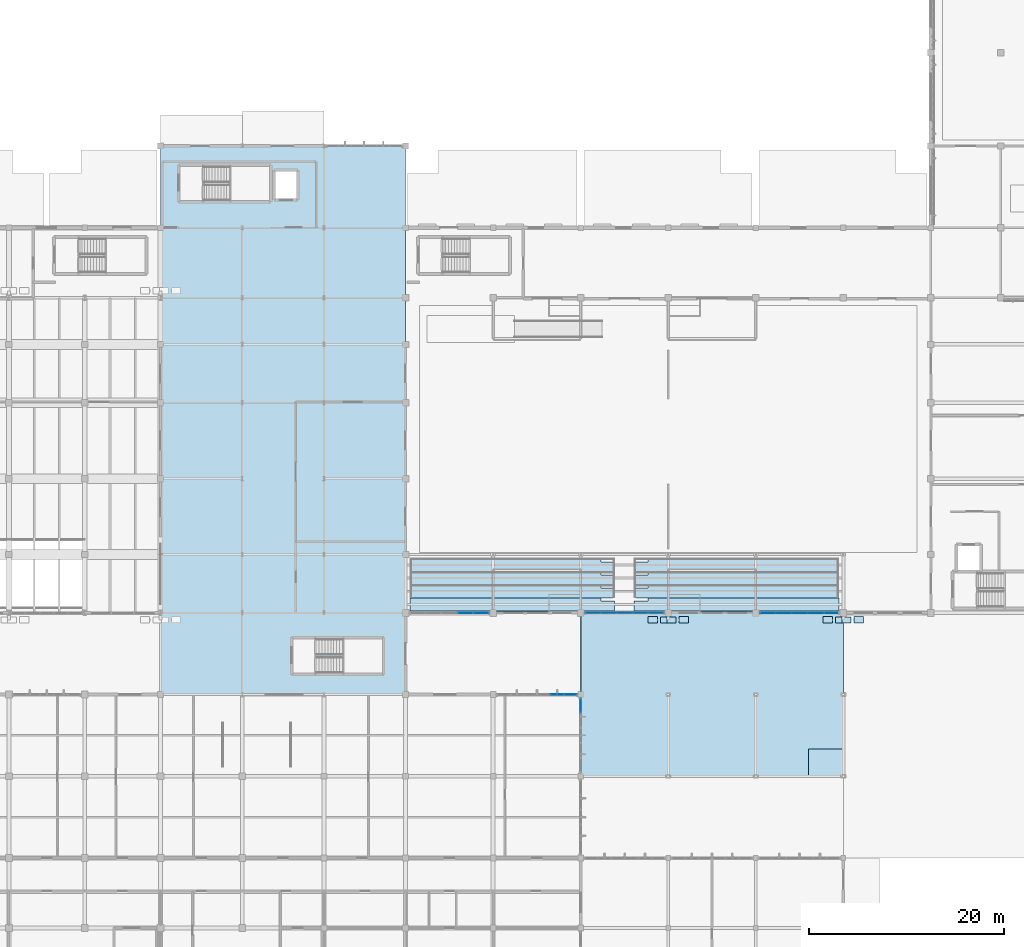
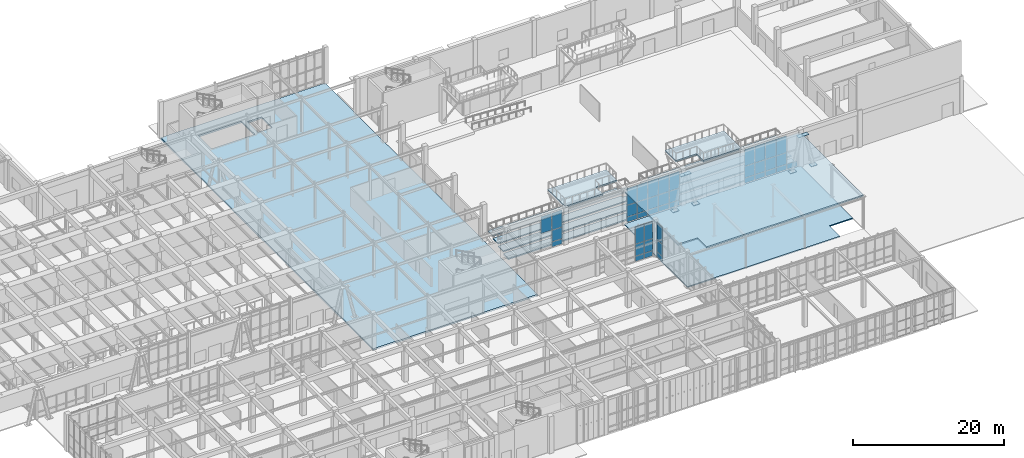
# One storey, part 64 of 110: 49 plates, 13 slabs, 5 elements without a shape of their own.
"""IFC4 building model written with IfcOpenShell, lengths in metres."""

from ifc_helpers import new_model, si_unit, direction, frame, origin, origin_2d, place, context, subcontext, project, spatial, polyline, rectangle, outline, extrude, material, layer, layer_set, type_object, element, aggregate, save


model = new_model("IFC4")

# Units and contexts
model_context = context("Model", 3, precision=1e-05, world=origin(), true_north=direction((0.0, 1.0)))
body_context = subcontext(model_context, "Body", "Model", "MODEL_VIEW")
ifc_project = project(units=[si_unit("LENGTHUNIT", "METRE"), si_unit("AREAUNIT", "SQUARE_METRE"), si_unit("VOLUMEUNIT", "CUBIC_METRE"), si_unit("PLANEANGLEUNIT", "RADIAN"), si_unit("MASSUNIT", "GRAM", prefix="KILO")], contexts=[model_context])

# Site, building, storey
site_placement = place(None, origin())
site = spatial("IfcSite", under=ifc_project, at=site_placement, CompositionType="ELEMENT")
building_placement = place(site_placement, origin())
building = spatial("IfcBuilding", under=site, at=building_placement, Name="Tizgana Railside Sports Hall", CompositionType="ELEMENT")
storey_placement = place(building_placement, origin())
storey = spatial("IfcBuildingStorey", under=building, at=storey_placement, Name="L00", CompositionType="ELEMENT", Elevation=0.0)

# Curtain wall, plates
ifc_material_1 = material(Name="Anodised aluminium and glass", Category="aluminium")
curtain_wall_type_1 = type_object("IfcCurtainWallType", Name="Unitised Curtain Wall Foyer 1300", PredefinedType="NOTDEFINED", material=ifc_material_1)
curtain_wall_1_placement = place(storey_placement, origin())
curtain_wall_1 = element("IfcCurtainWall", 1, at=curtain_wall_1_placement, inside=storey, type_object=curtain_wall_type_1, Name="L00 Curtain Wall CW-0025", PredefinedType="NOTDEFINED")
ifc_material_2 = material(Name="Double low-E laminated glass", Category="glass")
ifc_layer_1 = layer(ifc_material_2, 0.033935546875, Name="Double low-E laminated glass")
ifc_layer_set_1 = layer_set([ifc_layer_1], Name="Double low-E laminated glass")
plate_type_1 = type_object("IfcPlateType", Name="Acoustic Laminated Glazing Panel 34", PredefinedType="CURTAIN_PANEL", material=ifc_layer_set_1)
plate_1_placement = place(storey_placement, frame((123.56103515625, 40.800048828125, 0.10498046875), z_axis=(0.0, 0.0, 1.0), x_axis=(-1.0, 0.0, 0.0)))
plate_1 = element("IfcPlate", 2, at=plate_1_placement, type_object=plate_type_1, Name="CW-02 panel 1.1", PredefinedType="CURTAIN_PANEL", context=body_context, shape_type="SweptSolid", body=[
    extrude(rectangle(XDim=1.548095703125, YDim=0.033935546875, at=origin_2d()), origin(), (0.0, 0.0, 1.0), 0.81005859375),
])
plate_2_placement = place(storey_placement, frame((121.93798828125, 40.800048828125, 0.10498046875), z_axis=(0.0, 0.0, 1.0), x_axis=(-1.0, 0.0, 0.0)))
plate_2 = element("IfcPlate", 3, at=plate_2_placement, type_object=plate_type_1, Name="CW-02 panel 2.1", PredefinedType="CURTAIN_PANEL", context=body_context, shape_type="SweptSolid", body=[
    extrude(rectangle(XDim=1.577880859375, YDim=0.033935546875, at=origin_2d()), origin(), (0.0, 0.0, 1.0), 0.81005859375),
])
plate_3_placement = place(storey_placement, frame((121.93798828125, 40.800048828125, 0.97509765625), z_axis=(0.0, 0.0, 1.0), x_axis=(-1.0, 0.0, 0.0)))
plate_3 = element("IfcPlate", 4, at=plate_3_placement, type_object=plate_type_1, Name="CW-02 panel 2.2", PredefinedType="CURTAIN_PANEL", context=body_context, shape_type="SweptSolid", body=[
    extrude(rectangle(XDim=1.577880859375, YDim=0.033935546875, at=origin_2d()), origin(), (0.0, 0.0, 1.0), 1.842529296875),
])
plate_4_placement = place(storey_placement, frame((121.93798828125, 40.800048828125, 2.87744140625), z_axis=(0.0, 0.0, 1.0), x_axis=(-1.0, 0.0, 0.0)))
plate_4 = element("IfcPlate", 5, at=plate_4_placement, type_object=plate_type_1, Name="CW-02 panel 2.3", PredefinedType="CURTAIN_PANEL", context=body_context, shape_type="SweptSolid", body=[
    extrude(rectangle(XDim=1.577880859375, YDim=0.033935546875, at=origin_2d()), origin(), (0.0, 0.0, 1.0), 2.71240234375),
])
plate_5_placement = place(storey_placement, frame((120.300048828125, 40.800048828125, 0.10498046875), z_axis=(0.0, 0.0, 1.0), x_axis=(-1.0, 0.0, 0.0)))
plate_5 = element("IfcPlate", 6, at=plate_5_placement, type_object=plate_type_1, Name="CW-02 panel 3.1", PredefinedType="CURTAIN_PANEL", context=body_context, shape_type="SweptSolid", body=[
    extrude(rectangle(XDim=1.577880859375, YDim=0.033935546875, at=origin_2d()), origin(), (0.0, 0.0, 1.0), 0.81005859375),
])
plate_6_placement = place(storey_placement, frame((120.300048828125, 40.800048828125, 0.97509765625), z_axis=(0.0, 0.0, 1.0), x_axis=(-1.0, 0.0, 0.0)))
plate_6 = element("IfcPlate", 7, at=plate_6_placement, type_object=plate_type_1, Name="CW-02 panel 3.2", PredefinedType="CURTAIN_PANEL", context=body_context, shape_type="SweptSolid", body=[
    extrude(rectangle(XDim=1.577880859375, YDim=0.033935546875, at=origin_2d()), origin(), (0.0, 0.0, 1.0), 1.842529296875),
])
plate_7_placement = place(storey_placement, frame((120.300048828125, 40.800048828125, 2.87744140625), z_axis=(0.0, 0.0, 1.0), x_axis=(-1.0, 0.0, 0.0)))
plate_7 = element("IfcPlate", 8, at=plate_7_placement, type_object=plate_type_1, Name="CW-02 panel 3.3", PredefinedType="CURTAIN_PANEL", context=body_context, shape_type="SweptSolid", body=[
    extrude(rectangle(XDim=1.577880859375, YDim=0.033935546875, at=origin_2d()), origin(), (0.0, 0.0, 1.0), 2.71240234375),
])
plate_8_placement = place(storey_placement, frame((118.662109375, 40.800048828125, 0.10498046875), z_axis=(0.0, 0.0, 1.0), x_axis=(-1.0, 0.0, 0.0)))
plate_8 = element("IfcPlate", 9, at=plate_8_placement, type_object=plate_type_1, Name="CW-02 panel 4.1", PredefinedType="CURTAIN_PANEL", context=body_context, shape_type="SweptSolid", body=[
    extrude(rectangle(XDim=1.577880859375, YDim=0.033935546875, at=origin_2d()), origin(), (0.0, 0.0, 1.0), 0.81005859375),
])
plate_9_placement = place(storey_placement, frame((118.662109375, 40.800048828125, 0.97509765625), z_axis=(0.0, 0.0, 1.0), x_axis=(-1.0, 0.0, 0.0)))
plate_9 = element("IfcPlate", 10, at=plate_9_placement, type_object=plate_type_1, Name="CW-02 panel 4.2", PredefinedType="CURTAIN_PANEL", context=body_context, shape_type="SweptSolid", body=[
    extrude(rectangle(XDim=1.577880859375, YDim=0.033935546875, at=origin_2d()), origin(), (0.0, 0.0, 1.0), 1.842529296875),
])
plate_10_placement = place(storey_placement, frame((118.662109375, 40.800048828125, 2.87744140625), z_axis=(0.0, 0.0, 1.0), x_axis=(-1.0, 0.0, 0.0)))
plate_10 = element("IfcPlate", 11, at=plate_10_placement, type_object=plate_type_1, Name="CW-02 panel 4.3", PredefinedType="CURTAIN_PANEL", context=body_context, shape_type="SweptSolid", body=[
    extrude(rectangle(XDim=1.577880859375, YDim=0.033935546875, at=origin_2d()), origin(), (0.0, 0.0, 1.0), 2.71240234375),
])
plate_11_placement = place(storey_placement, frame((117.0390625, 40.800048828125, 0.10498046875), z_axis=(0.0, 0.0, 1.0), x_axis=(-1.0, 0.0, 0.0)))
plate_11 = element("IfcPlate", 12, at=plate_11_placement, type_object=plate_type_1, Name="CW-02 panel 5.1", PredefinedType="CURTAIN_PANEL", context=body_context, shape_type="SweptSolid", body=[
    extrude(rectangle(XDim=1.548095703125, YDim=0.033935546875, at=origin_2d()), origin(), (0.0, 0.0, 1.0), 0.81005859375),
])
plate_12_placement = place(storey_placement, frame((117.0390625, 40.800048828125, 0.97509765625), z_axis=(0.0, 0.0, 1.0), x_axis=(-1.0, 0.0, 0.0)))
plate_12 = element("IfcPlate", 13, at=plate_12_placement, type_object=plate_type_1, Name="CW-02 panel 5.2", PredefinedType="CURTAIN_PANEL", context=body_context, shape_type="SweptSolid", body=[
    extrude(rectangle(XDim=1.548095703125, YDim=0.033935546875, at=origin_2d()), origin(), (0.0, 0.0, 1.0), 1.842529296875),
])
plate_13_placement = place(storey_placement, frame((117.0390625, 40.800048828125, 2.87744140625), z_axis=(0.0, 0.0, 1.0), x_axis=(-1.0, 0.0, 0.0)))
plate_13 = element("IfcPlate", 14, at=plate_13_placement, type_object=plate_type_1, Name="CW-02 panel 5.3", PredefinedType="CURTAIN_PANEL", context=body_context, shape_type="SweptSolid", body=[
    extrude(rectangle(XDim=1.548095703125, YDim=0.033935546875, at=origin_2d()), origin(), (0.0, 0.0, 1.0), 2.71240234375),
])
aggregate(curtain_wall_1, [plate_1, plate_2, plate_3, plate_4, plate_5, plate_6, plate_7, plate_8, plate_9, plate_10, plate_11, plate_12, plate_13])

curtain_wall_2_placement = place(storey_placement, origin())
curtain_wall_2 = element("IfcCurtainWall", 15, at=curtain_wall_2_placement, inside=storey, type_object=curtain_wall_type_1, Name="L00 Curtain Wall CW-0081", PredefinedType="NOTDEFINED")
plate_14_placement = place(storey_placement, frame((95.37255859375, 32.39990234375, 0.10986328125), z_axis=(0.0, 0.0, 1.0), x_axis=(1.0, 0.0, 0.0)))
plate_14 = element("IfcPlate", 16, at=plate_14_placement, type_object=plate_type_1, Name="CW-02 panel 5.1", PredefinedType="CURTAIN_PANEL", context=body_context, shape_type="SweptSolid", body=[
    extrude(rectangle(XDim=1.316650390625, YDim=0.033935546875, at=origin_2d()), origin(), (0.0, 0.0, 1.0), 0.802490234375),
])
plate_15_placement = place(storey_placement, frame((95.37255859375, 32.39990234375, 0.9775390625), z_axis=(0.0, 0.0, 1.0), x_axis=(1.0, 0.0, 0.0)))
plate_15 = element("IfcPlate", 17, at=plate_15_placement, type_object=plate_type_1, Name="CW-02 panel 5.2", PredefinedType="CURTAIN_PANEL", context=body_context, shape_type="SweptSolid", body=[
    extrude(rectangle(XDim=1.316650390625, YDim=0.033935546875, at=origin_2d()), origin(), (0.0, 0.0, 1.0), 1.887451171875),
])
plate_16_placement = place(storey_placement, frame((95.37255859375, 32.39990234375, 2.93017578125), z_axis=(0.0, 0.0, 1.0), x_axis=(1.0, 0.0, 0.0)))
plate_16 = element("IfcPlate", 18, at=plate_16_placement, type_object=plate_type_1, Name="CW-02 panel 5.3", PredefinedType="CURTAIN_PANEL", context=body_context, shape_type="SweptSolid", body=[
    extrude(rectangle(XDim=1.316650390625, YDim=0.033935546875, at=origin_2d()), origin(), (0.0, 0.0, 1.0), 2.7548828125),
])
plate_17_placement = place(storey_placement, frame((96.738037109375, 32.39990234375, 0.10986328125), z_axis=(0.0, 0.0, 1.0), x_axis=(1.0, 0.0, 0.0)))
plate_17 = element("IfcPlate", 19, at=plate_17_placement, type_object=plate_type_1, Name="CW-02 panel 6.1", PredefinedType="CURTAIN_PANEL", context=body_context, shape_type="SweptSolid", body=[
    extrude(rectangle(XDim=1.2841796875, YDim=0.033935546875, at=origin_2d()), origin(), (0.0, 0.0, 1.0), 0.802490234375),
])
plate_18_placement = place(storey_placement, frame((96.738037109375, 32.39990234375, 0.9775390625), z_axis=(0.0, 0.0, 1.0), x_axis=(1.0, 0.0, 0.0)))
plate_18 = element("IfcPlate", 20, at=plate_18_placement, type_object=plate_type_1, Name="CW-02 panel 6.2", PredefinedType="CURTAIN_PANEL", context=body_context, shape_type="SweptSolid", body=[
    extrude(rectangle(XDim=1.2841796875, YDim=0.033935546875, at=origin_2d()), origin(), (0.0, 0.0, 1.0), 1.887451171875),
])
plate_19_placement = place(storey_placement, frame((96.738037109375, 32.39990234375, 2.93017578125), z_axis=(0.0, 0.0, 1.0), x_axis=(1.0, 0.0, 0.0)))
plate_19 = element("IfcPlate", 21, at=plate_19_placement, type_object=plate_type_1, Name="CW-02 panel 6.3", PredefinedType="CURTAIN_PANEL", context=body_context, shape_type="SweptSolid", body=[
    extrude(rectangle(XDim=1.2841796875, YDim=0.033935546875, at=origin_2d()), origin(), (0.0, 0.0, 1.0), 2.7548828125),
])
aggregate(curtain_wall_2, [plate_14, plate_15, plate_16, plate_17, plate_18, plate_19])

# Slabs
ifc_material_3 = material(Name="Concrete C35/45", Category="concrete")
ifc_layer_2 = layer(ifc_material_3, 0.169921875, Name="Concrete C35/45")
ifc_layer_set_2 = layer_set([ifc_layer_2], Name="Concrete C35/45")
slab_type_1 = type_object("IfcSlabType", Name="Entrance Canopy & Apron Deck 170", PredefinedType="FLOOR", material=ifc_layer_set_2)
slab_1_placement = place(storey_placement, frame((0.0, 0.0, -0.169921875)))
element("IfcSlab", 22, at=slab_1_placement, inside=storey, type_object=slab_type_1, Name="L00 Forecourt Entrance Apron SLB-0013", PredefinedType="FLOOR", context=body_context, shape_type="SweptSolid", body=[
    extrude(outline(polyline([(97.85009765625, 24.0), (121.199951171875, 24.0), (121.199951171875, 26.800048828125), (124.800048828125, 26.800048828125), (124.800048828125, 40.75), (97.85009765625, 40.75), (97.85009765625, 24.0)])), origin(), (0.0, 0.0, 1.0), 0.169921875),
])
ifc_layer_3 = layer(ifc_material_3, 0.239990234375, Name="Concrete C35/45")
ifc_layer_set_3 = layer_set([ifc_layer_3], Name="Concrete C35/45")
slab_type_2 = type_object("IfcSlabType", Name="Flat Pavilion Roof Deck 240", PredefinedType="ROOF", material=ifc_layer_set_3)
slab_2_placement = place(storey_placement, frame((0.0, 0.0, 5.199951171875)))
element("IfcSlab", 23, at=slab_2_placement, inside=storey, type_object=slab_type_2, Name="L00 Forecourt Entrance Canopy SLB-0014", PredefinedType="ROOF", context=body_context, shape_type="SweptSolid", body=[
    extrude(outline(polyline([(100.800048828125, 24.0), (124.800048828125, 24.0), (124.800048828125, 40.800048828125), (97.800048828125, 40.800048828125), (97.800048828125, 26.39990234375), (100.800048828125, 26.39990234375), (100.800048828125, 24.0)])), origin(), (0.0, 0.0, 1.0), 0.239990234375),
])

# Curtain wall, plates
curtain_wall_type_2 = type_object("IfcCurtainWallType", Name="Unitised Curtain Wall EastHall 1500", PredefinedType="NOTDEFINED", material=ifc_material_1)
curtain_wall_3_placement = place(storey_placement, origin())
curtain_wall_3 = element("IfcCurtainWall", 24, at=curtain_wall_3_placement, inside=storey, type_object=curtain_wall_type_2, Name="L00 Curtain Wall CW-0015", PredefinedType="NOTDEFINED")
ifc_layer_4 = layer(ifc_material_2, 0.031982421875, Name="Double low-E laminated glass")
ifc_layer_set_4 = layer_set([ifc_layer_4], Name="Double low-E laminated glass")
plate_type_2 = type_object("IfcPlateType", Name="North-Light Clerestory Glazing Panel 32", PredefinedType="CURTAIN_PANEL", material=ifc_layer_set_4)
plate_20_placement = place(storey_placement, frame((87.559814453125, 40.800048828125, 0.10986328125), z_axis=(0.0, 0.0, 1.0), x_axis=(-1.0, 0.0, 0.0)))
plate_20 = element("IfcPlate", 25, at=plate_20_placement, type_object=plate_type_2, Name="CW-08 panel 1.1", PredefinedType="CURTAIN_PANEL", context=body_context, shape_type="SweptSolid", body=[
    extrude(rectangle(XDim=1.54052734375, YDim=0.031982421875, at=origin_2d()), origin(), (0.0, 0.0, 1.0), 0.802490234375),
])
plate_21_placement = place(storey_placement, frame((87.559814453125, 40.800048828125, 0.9775390625), z_axis=(0.0, 0.0, 1.0), x_axis=(-1.0, 0.0, 0.0)))
plate_21 = element("IfcPlate", 26, at=plate_21_placement, type_object=plate_type_2, Name="CW-08 panel 1.2", PredefinedType="CURTAIN_PANEL", context=body_context, shape_type="SweptSolid", body=[
    extrude(rectangle(XDim=1.54052734375, YDim=0.031982421875, at=origin_2d()), origin(), (0.0, 0.0, 1.0), 1.83740234375),
])
plate_22_placement = place(storey_placement, frame((87.559814453125, 40.800048828125, 2.8798828125), z_axis=(0.0, 0.0, 1.0), x_axis=(-1.0, 0.0, 0.0)))
plate_22 = element("IfcPlate", 27, at=plate_22_placement, type_object=plate_type_2, Name="CW-08 panel 1.3", PredefinedType="CURTAIN_PANEL", context=body_context, shape_type="SweptSolid", body=[
    extrude(rectangle(XDim=1.54052734375, YDim=0.031982421875, at=origin_2d()), origin(), (0.0, 0.0, 1.0), 2.705078125),
])
plate_23_placement = place(storey_placement, frame((85.93798828125, 40.800048828125, 2.8798828125), z_axis=(0.0, 0.0, 1.0), x_axis=(-1.0, 0.0, 0.0)))
plate_23 = element("IfcPlate", 28, at=plate_23_placement, type_object=plate_type_2, Name="CW-08 panel 2.3", PredefinedType="CURTAIN_PANEL", context=body_context, shape_type="SweptSolid", body=[
    extrude(rectangle(XDim=1.572998046875, YDim=0.031982421875, at=origin_2d()), origin(), (0.0, 0.0, 1.0), 2.705078125),
])
aggregate(curtain_wall_3, [plate_20, plate_21, plate_22, plate_23])

curtain_wall_type_3 = type_object("IfcCurtainWallType", Name="Unitised Curtain Wall Clinic 1200", PredefinedType="NOTDEFINED", material=ifc_material_1)
curtain_wall_4_placement = place(storey_placement, origin())
curtain_wall_4 = element("IfcCurtainWall", 29, at=curtain_wall_4_placement, inside=storey, type_object=curtain_wall_type_3, Name="L00 Curtain Wall CW-0020", PredefinedType="NOTDEFINED")
ifc_layer_5 = layer(ifc_material_2, 0.028076171875, Name="Double low-E laminated glass")
ifc_layer_set_5 = layer_set([ifc_layer_5], Name="Double low-E laminated glass")
plate_type_3 = type_object("IfcPlateType", Name="Solar Low-E Glazing Panel 28", PredefinedType="CURTAIN_PANEL", material=ifc_layer_set_5)
plate_24_placement = place(storey_placement, frame((105.56103515625, 40.800048828125, 0.10498046875), z_axis=(0.0, 0.0, 1.0), x_axis=(-1.0, 0.0, 0.0)))
plate_24 = element("IfcPlate", 30, at=plate_24_placement, type_object=plate_type_3, Name="CW-05 panel 1.1", PredefinedType="CURTAIN_PANEL", context=body_context, shape_type="SweptSolid", body=[
    extrude(rectangle(XDim=1.548095703125, YDim=0.028076171875, at=origin_2d()), origin(), (0.0, 0.0, 1.0), 0.81005859375),
])
plate_25_placement = place(storey_placement, frame((105.56103515625, 40.800048828125, 0.97509765625), z_axis=(0.0, 0.0, 1.0), x_axis=(-1.0, 0.0, 0.0)))
plate_25 = element("IfcPlate", 31, at=plate_25_placement, type_object=plate_type_3, Name="CW-05 panel 1.2", PredefinedType="CURTAIN_PANEL", context=body_context, shape_type="SweptSolid", body=[
    extrude(rectangle(XDim=1.548095703125, YDim=0.028076171875, at=origin_2d()), origin(), (0.0, 0.0, 1.0), 1.842529296875),
])
plate_26_placement = place(storey_placement, frame((105.56103515625, 40.800048828125, 2.87744140625), z_axis=(0.0, 0.0, 1.0), x_axis=(-1.0, 0.0, 0.0)))
plate_26 = element("IfcPlate", 32, at=plate_26_placement, type_object=plate_type_3, Name="CW-05 panel 1.3", PredefinedType="CURTAIN_PANEL", context=body_context, shape_type="SweptSolid", body=[
    extrude(rectangle(XDim=1.548095703125, YDim=0.028076171875, at=origin_2d()), origin(), (0.0, 0.0, 1.0), 2.71240234375),
])
plate_27_placement = place(storey_placement, frame((103.93798828125, 40.800048828125, 0.10498046875), z_axis=(0.0, 0.0, 1.0), x_axis=(-1.0, 0.0, 0.0)))
plate_27 = element("IfcPlate", 33, at=plate_27_placement, type_object=plate_type_3, Name="CW-05 panel 2.1", PredefinedType="CURTAIN_PANEL", context=body_context, shape_type="SweptSolid", body=[
    extrude(rectangle(XDim=1.577880859375, YDim=0.028076171875, at=origin_2d()), origin(), (0.0, 0.0, 1.0), 0.81005859375),
])
plate_28_placement = place(storey_placement, frame((103.93798828125, 40.800048828125, 0.97509765625), z_axis=(0.0, 0.0, 1.0), x_axis=(-1.0, 0.0, 0.0)))
plate_28 = element("IfcPlate", 34, at=plate_28_placement, type_object=plate_type_3, Name="CW-05 panel 2.2", PredefinedType="CURTAIN_PANEL", context=body_context, shape_type="SweptSolid", body=[
    extrude(rectangle(XDim=1.577880859375, YDim=0.028076171875, at=origin_2d()), origin(), (0.0, 0.0, 1.0), 1.842529296875),
])
plate_29_placement = place(storey_placement, frame((103.93798828125, 40.800048828125, 2.87744140625), z_axis=(0.0, 0.0, 1.0), x_axis=(-1.0, 0.0, 0.0)))
plate_29 = element("IfcPlate", 35, at=plate_29_placement, type_object=plate_type_3, Name="CW-05 panel 2.3", PredefinedType="CURTAIN_PANEL", context=body_context, shape_type="SweptSolid", body=[
    extrude(rectangle(XDim=1.577880859375, YDim=0.028076171875, at=origin_2d()), origin(), (0.0, 0.0, 1.0), 2.71240234375),
])
plate_30_placement = place(storey_placement, frame((102.300048828125, 40.800048828125, 0.10498046875), z_axis=(0.0, 0.0, 1.0), x_axis=(-1.0, 0.0, 0.0)))
plate_30 = element("IfcPlate", 36, at=plate_30_placement, type_object=plate_type_3, Name="CW-05 panel 3.1", PredefinedType="CURTAIN_PANEL", context=body_context, shape_type="SweptSolid", body=[
    extrude(rectangle(XDim=1.577880859375, YDim=0.028076171875, at=origin_2d()), origin(), (0.0, 0.0, 1.0), 0.81005859375),
])
plate_31_placement = place(storey_placement, frame((102.300048828125, 40.800048828125, 0.97509765625), z_axis=(0.0, 0.0, 1.0), x_axis=(-1.0, 0.0, 0.0)))
plate_31 = element("IfcPlate", 37, at=plate_31_placement, type_object=plate_type_3, Name="CW-05 panel 3.2", PredefinedType="CURTAIN_PANEL", context=body_context, shape_type="SweptSolid", body=[
    extrude(rectangle(XDim=1.577880859375, YDim=0.028076171875, at=origin_2d()), origin(), (0.0, 0.0, 1.0), 1.842529296875),
])
plate_32_placement = place(storey_placement, frame((102.300048828125, 40.800048828125, 2.87744140625), z_axis=(0.0, 0.0, 1.0), x_axis=(-1.0, 0.0, 0.0)))
plate_32 = element("IfcPlate", 38, at=plate_32_placement, type_object=plate_type_3, Name="CW-05 panel 3.3", PredefinedType="CURTAIN_PANEL", context=body_context, shape_type="SweptSolid", body=[
    extrude(rectangle(XDim=1.577880859375, YDim=0.028076171875, at=origin_2d()), origin(), (0.0, 0.0, 1.0), 2.71240234375),
])
plate_33_placement = place(storey_placement, frame((100.662109375, 40.800048828125, 0.10498046875), z_axis=(0.0, 0.0, 1.0), x_axis=(-1.0, 0.0, 0.0)))
plate_33 = element("IfcPlate", 39, at=plate_33_placement, type_object=plate_type_3, Name="CW-05 panel 4.1", PredefinedType="CURTAIN_PANEL", context=body_context, shape_type="SweptSolid", body=[
    extrude(rectangle(XDim=1.577880859375, YDim=0.028076171875, at=origin_2d()), origin(), (0.0, 0.0, 1.0), 0.81005859375),
])
plate_34_placement = place(storey_placement, frame((100.662109375, 40.800048828125, 0.97509765625), z_axis=(0.0, 0.0, 1.0), x_axis=(-1.0, 0.0, 0.0)))
plate_34 = element("IfcPlate", 40, at=plate_34_placement, type_object=plate_type_3, Name="CW-05 panel 4.2", PredefinedType="CURTAIN_PANEL", context=body_context, shape_type="SweptSolid", body=[
    extrude(rectangle(XDim=1.577880859375, YDim=0.028076171875, at=origin_2d()), origin(), (0.0, 0.0, 1.0), 1.842529296875),
])
plate_35_placement = place(storey_placement, frame((100.662109375, 40.800048828125, 2.87744140625), z_axis=(0.0, 0.0, 1.0), x_axis=(-1.0, 0.0, 0.0)))
plate_35 = element("IfcPlate", 41, at=plate_35_placement, type_object=plate_type_3, Name="CW-05 panel 4.3", PredefinedType="CURTAIN_PANEL", context=body_context, shape_type="SweptSolid", body=[
    extrude(rectangle(XDim=1.577880859375, YDim=0.028076171875, at=origin_2d()), origin(), (0.0, 0.0, 1.0), 2.71240234375),
])
plate_36_placement = place(storey_placement, frame((99.0390625, 40.800048828125, 0.10498046875), z_axis=(0.0, 0.0, 1.0), x_axis=(-1.0, 0.0, 0.0)))
plate_36 = element("IfcPlate", 42, at=plate_36_placement, type_object=plate_type_3, Name="CW-05 panel 5.1", PredefinedType="CURTAIN_PANEL", context=body_context, shape_type="SweptSolid", body=[
    extrude(rectangle(XDim=1.548095703125, YDim=0.028076171875, at=origin_2d()), origin(), (0.0, 0.0, 1.0), 0.81005859375),
])
plate_37_placement = place(storey_placement, frame((99.0390625, 40.800048828125, 0.97509765625), z_axis=(0.0, 0.0, 1.0), x_axis=(-1.0, 0.0, 0.0)))
plate_37 = element("IfcPlate", 43, at=plate_37_placement, type_object=plate_type_3, Name="CW-05 panel 5.2", PredefinedType="CURTAIN_PANEL", context=body_context, shape_type="SweptSolid", body=[
    extrude(rectangle(XDim=1.548095703125, YDim=0.028076171875, at=origin_2d()), origin(), (0.0, 0.0, 1.0), 1.842529296875),
])
plate_38_placement = place(storey_placement, frame((99.0390625, 40.800048828125, 2.87744140625), z_axis=(0.0, 0.0, 1.0), x_axis=(-1.0, 0.0, 0.0)))
plate_38 = element("IfcPlate", 44, at=plate_38_placement, type_object=plate_type_3, Name="CW-05 panel 5.3", PredefinedType="CURTAIN_PANEL", context=body_context, shape_type="SweptSolid", body=[
    extrude(rectangle(XDim=1.548095703125, YDim=0.028076171875, at=origin_2d()), origin(), (0.0, 0.0, 1.0), 2.71240234375),
])
aggregate(curtain_wall_4, [plate_24, plate_25, plate_26, plate_27, plate_28, plate_29, plate_30, plate_31, plate_32, plate_33, plate_34, plate_35, plate_36, plate_37, plate_38])

curtain_wall_type_4 = type_object("IfcCurtainWallType", Name="Unitised Curtain Wall Concourse 1500", PredefinedType="NOTDEFINED", material=ifc_material_1)
curtain_wall_5_placement = place(storey_placement, origin())
curtain_wall_5 = element("IfcCurtainWall", 45, at=curtain_wall_5_placement, inside=storey, type_object=curtain_wall_type_4, Name="L00 Curtain Wall CW-0088", PredefinedType="NOTDEFINED")
plate_39_placement = place(storey_placement, frame((97.800048828125, 31.258544921875, 0.114990234375), z_axis=(0.0, 0.0, 1.0), x_axis=(0.0, -1.0, 0.0)))
plate_39 = element("IfcPlate", 46, at=plate_39_placement, type_object=plate_type_3, Name="CW-01 panel 1.1", PredefinedType="CURTAIN_PANEL", context=body_context, shape_type="SweptSolid", body=[
    extrude(rectangle(XDim=1.43310546875, YDim=0.028076171875, at=origin_2d()), origin(), (0.0, 0.0, 1.0), 0.794921875),
])
plate_40_placement = place(storey_placement, frame((97.800048828125, 31.258544921875, 0.97998046875), z_axis=(0.0, 0.0, 1.0), x_axis=(0.0, -1.0, 0.0)))
plate_40 = element("IfcPlate", 47, at=plate_40_placement, type_object=plate_type_3, Name="CW-01 panel 1.2", PredefinedType="CURTAIN_PANEL", context=body_context, shape_type="SweptSolid", body=[
    extrude(rectangle(XDim=1.43310546875, YDim=0.028076171875, at=origin_2d()), origin(), (0.0, 0.0, 1.0), 1.882568359375),
])
plate_41_placement = place(storey_placement, frame((97.800048828125, 31.258544921875, 2.932373046875), z_axis=(0.0, 0.0, 1.0), x_axis=(0.0, -1.0, 0.0)))
plate_41 = element("IfcPlate", 48, at=plate_41_placement, type_object=plate_type_3, Name="CW-01 panel 1.3", PredefinedType="CURTAIN_PANEL", context=body_context, shape_type="SweptSolid", body=[
    extrude(rectangle(XDim=1.43310546875, YDim=0.028076171875, at=origin_2d()), origin(), (0.0, 0.0, 1.0), 2.74755859375),
])
aggregate(curtain_wall_5, [plate_39, plate_40, plate_41])

# Slabs
ifc_material_4 = material(Name="Precast concrete C40/50", Category="concrete")
ifc_layer_6 = layer(ifc_material_4, 0.2099609375, Name="Precast concrete C40/50")
ifc_layer_set_6 = layer_set([ifc_layer_6], Name="Precast concrete C40/50")
slab_type_3 = type_object("IfcSlabType", Name="Spectator Seating Tier Slab 210", PredefinedType="USERDEFINED", material=ifc_layer_set_6)
slab_3_placement = place(storey_placement, frame((0.0, 0.0, 0.2099609375)))
element("IfcSlab", 49, at=slab_3_placement, inside=storey, type_object=slab_type_3, Name="L00 Court 2 South Stand W1 SLB-0055", ObjectType="SEATING_TIER", PredefinedType="USERDEFINED", context=body_context, shape_type="SweptSolid", body=[
    extrude(outline(polyline([(80.25, 41.0), (101.300048828125, 41.0), (101.300048828125, 42.0), (99.89990234375, 42.0), (99.89990234375, 42.35009765625), (80.25, 42.35009765625), (80.25, 41.0)])), origin(), (0.0, 0.0, 1.0), 0.2099609375),
])
slab_4_placement = place(storey_placement, frame((0.0, 0.0, 0.2099609375)))
element("IfcSlab", 50, at=slab_4_placement, inside=storey, type_object=slab_type_3, Name="L00 Court 2 South Stand E1 SLB-0056", ObjectType="SEATING_TIER", PredefinedType="USERDEFINED", context=body_context, shape_type="SweptSolid", body=[
    extrude(outline(polyline([(103.300048828125, 41.0), (124.35009765625, 41.0), (124.35009765625, 42.35009765625), (104.699951171875, 42.35009765625), (104.699951171875, 42.0), (103.300048828125, 42.0), (103.300048828125, 41.0)])), origin(), (0.0, 0.0, 1.0), 0.2099609375),
])
slab_5_placement = place(storey_placement, frame((0.0, 0.0, 0.6298828125)))
element("IfcSlab", 51, at=slab_5_placement, inside=storey, type_object=slab_type_3, Name="L00 Court 2 South Stand W2 SLB-0057", ObjectType="SEATING_TIER", PredefinedType="USERDEFINED", context=body_context, shape_type="SweptSolid", body=[
    extrude(outline(polyline([(80.25, 42.35009765625), (101.300048828125, 42.35009765625), (101.300048828125, 43.35009765625), (99.89990234375, 43.35009765625), (99.89990234375, 43.699951171875), (80.25, 43.699951171875), (80.25, 42.35009765625)])), origin(), (0.0, 0.0, 1.0), 0.210205078125),
])
slab_6_placement = place(storey_placement, frame((0.0, 0.0, 0.6298828125)))
element("IfcSlab", 52, at=slab_6_placement, inside=storey, type_object=slab_type_3, Name="L00 Court 2 South Stand E2 SLB-0058", ObjectType="SEATING_TIER", PredefinedType="USERDEFINED", context=body_context, shape_type="SweptSolid", body=[
    extrude(outline(polyline([(103.300048828125, 42.35009765625), (124.35009765625, 42.35009765625), (124.35009765625, 43.699951171875), (104.699951171875, 43.699951171875), (104.699951171875, 43.35009765625), (103.300048828125, 43.35009765625), (103.300048828125, 42.35009765625)])), origin(), (0.0, 0.0, 1.0), 0.210205078125),
])
ifc_layer_7 = layer(ifc_material_3, 0.27001953125, Name="Concrete C35/45")
ifc_layer_set_7 = layer_set([ifc_layer_7], Name="Concrete C35/45")
slab_type_4 = type_object("IfcSlabType", Name="Suspended Concourse Slab 270", PredefinedType="FLOOR", material=ifc_layer_set_7)
slab_7_placement = place(storey_placement, frame((0.0, 0.0, -0.27001953125)))
element("IfcSlab", 53, at=slab_7_placement, inside=storey, type_object=slab_type_4, Name="L00 V4 Foyer Slab SLB-0006", PredefinedType="FLOOR", context=body_context, shape_type="SweptSolid", body=[
    extrude(outline(polyline([(54.60009765625, 32.39990234375), (79.800048828125, 32.39990234375), (79.800048828125, 88.800048828125), (54.60009765625, 88.800048828125), (54.60009765625, 32.39990234375)]), holes=[polyline([(59.179931640625, 83.199951171875), (65.800048828125, 83.199951171875), (65.800048828125, 86.699951171875), (59.179931640625, 86.699951171875), (59.179931640625, 83.199951171875)]), polyline([(66.39990234375, 83.39990234375), (68.60009765625, 83.39990234375), (68.60009765625, 86.199951171875), (66.39990234375, 86.199951171875), (66.39990234375, 83.39990234375)])]), origin(), (0.0, 0.0, 1.0), 0.27001953125),
])
ifc_layer_8 = layer(ifc_material_3, 0.22998046875, Name="Concrete C35/45")
ifc_layer_set_8 = layer_set([ifc_layer_8], Name="Concrete C35/45")
slab_type_5 = type_object("IfcSlabType", Name="Suspended Gallery Floor Slab 230", PredefinedType="FLOOR", material=ifc_layer_set_8)
slab_8_placement = place(storey_placement, frame((0.0, 0.0, 5.77001953125)))
element("IfcSlab", 54, at=slab_8_placement, inside=storey, type_object=slab_type_5, Name="L00 V2 Court2 Catwalk SW SLB-0119", PredefinedType="FLOOR", context=body_context, shape_type="SweptSolid", body=[
    extrude(outline(polyline([(88.800048828125, 40.800048828125), (94.60009765625, 40.800048828125), (94.60009765625, 42.60009765625), (97.800048828125, 42.60009765625), (97.800048828125, 45.39990234375), (88.800048828125, 45.39990234375), (88.800048828125, 40.800048828125)])), origin(), (0.0, 0.0, 1.0), 0.22998046875),
])
slab_9_placement = place(storey_placement, frame((0.0, 0.0, 5.77001953125)))
element("IfcSlab", 55, at=slab_9_placement, inside=storey, type_object=slab_type_5, Name="L00 V2 Court2 Catwalk SE SLB-0120", PredefinedType="FLOOR", context=body_context, shape_type="SweptSolid", body=[
    extrude(outline(polyline([(110.0, 40.800048828125), (115.800048828125, 40.800048828125), (115.800048828125, 45.39990234375), (106.800048828125, 45.39990234375), (106.800048828125, 42.60009765625), (110.0, 42.60009765625), (110.0, 40.800048828125)])), origin(), (0.0, 0.0, 1.0), 0.22998046875),
])
ifc_layer_9 = layer(ifc_material_4, 0.18994140625, Name="Precast concrete C40/50")
ifc_layer_set_9 = layer_set([ifc_layer_9], Name="Precast concrete C40/50")
slab_type_6 = type_object("IfcSlabType", Name="Upper Bowl Seating Tier Slab 190", PredefinedType="USERDEFINED", material=ifc_layer_set_9)
slab_10_placement = place(storey_placement, frame((0.0, 0.0, 1.070068359375)))
element("IfcSlab", 56, at=slab_10_placement, inside=storey, type_object=slab_type_6, Name="L00 Court 2 South Stand W3 SLB-0059", ObjectType="SEATING_TIER", PredefinedType="USERDEFINED", context=body_context, shape_type="SweptSolid", body=[
    extrude(outline(polyline([(80.25, 43.699951171875), (101.300048828125, 43.699951171875), (101.300048828125, 44.699951171875), (99.89990234375, 44.699951171875), (99.89990234375, 45.050048828125), (80.25, 45.050048828125), (80.25, 43.699951171875)])), origin(), (0.0, 0.0, 1.0), 0.18994140625),
])
slab_11_placement = place(storey_placement, frame((0.0, 0.0, 1.070068359375)))
element("IfcSlab", 57, at=slab_11_placement, inside=storey, type_object=slab_type_6, Name="L00 Court 2 South Stand E3 SLB-0060", ObjectType="SEATING_TIER", PredefinedType="USERDEFINED", context=body_context, shape_type="SweptSolid", body=[
    extrude(outline(polyline([(103.300048828125, 43.699951171875), (124.35009765625, 43.699951171875), (124.35009765625, 45.050048828125), (104.699951171875, 45.050048828125), (104.699951171875, 44.699951171875), (103.300048828125, 44.699951171875), (103.300048828125, 43.699951171875)])), origin(), (0.0, 0.0, 1.0), 0.18994140625),
])
slab_12_placement = place(storey_placement, frame((0.0, 0.0, 1.489990234375)))
element("IfcSlab", 58, at=slab_12_placement, inside=storey, type_object=slab_type_6, Name="L00 Court 2 South Stand W4 SLB-0061", ObjectType="SEATING_TIER", PredefinedType="USERDEFINED", context=body_context, shape_type="SweptSolid", body=[
    extrude(outline(polyline([(80.25, 45.050048828125), (101.300048828125, 45.050048828125), (101.300048828125, 46.050048828125), (99.89990234375, 46.050048828125), (99.89990234375, 46.39990234375), (80.25, 46.39990234375), (80.25, 45.050048828125)])), origin(), (0.0, 0.0, 1.0), 0.18994140625),
])
slab_13_placement = place(storey_placement, frame((0.0, 0.0, 1.489990234375)))
element("IfcSlab", 59, at=slab_13_placement, inside=storey, type_object=slab_type_6, Name="L00 Court 2 South Stand E4 SLB-0062", ObjectType="SEATING_TIER", PredefinedType="USERDEFINED", context=body_context, shape_type="SweptSolid", body=[
    extrude(outline(polyline([(103.300048828125, 45.050048828125), (124.35009765625, 45.050048828125), (124.35009765625, 46.39990234375), (104.699951171875, 46.39990234375), (104.699951171875, 46.050048828125), (103.300048828125, 46.050048828125), (103.300048828125, 45.050048828125)])), origin(), (0.0, 0.0, 1.0), 0.18994140625),
])

# Plates
ifc_material_5 = material(Name="Steel S355J2", Category="steel")
ifc_layer_10 = layer(ifc_material_5, 0.0419921875, Name="Steel S355J2")
ifc_layer_set_10 = layer_set([ifc_layer_10], Name="Steel S355J2")
plate_type_4 = type_object("IfcPlateType", Name="V-Column Apex Node Plate 920x620x42", PredefinedType="USERDEFINED", material=ifc_layer_set_10)
for number, where, z_axis, x_axis, name in (
    (60, (106.4599609375, 40.080078125, 5.35888671875), (0.0, 0.0, 1.0), (1.0, 0.0, 0.0), "L00 Forecourt V-Column Apex Plate"),
    (61, (107.139892578125, 40.080078125, 5.35888671875), (0.0, 0.0, 1.0), (1.0, 0.0, 0.0), "L00 Forecourt V-Column Apex Plate"),
    (62, (124.4599609375, 40.080078125, 5.35888671875), (0.0, 0.0, 1.0), (1.0, 0.0, 0.0), "L00 Forecourt V-Column Apex Plate"),
    (63, (125.139892578125, 40.080078125, 5.35888671875), (0.0, 0.0, 1.0), (1.0, 0.0, 0.0), "L00 Forecourt V-Column Apex Plate"),
):
    element("IfcPlate", number, at=place(storey_placement, frame(where, z_axis=z_axis, x_axis=x_axis)), inside=storey, type_object=plate_type_4, Name=name, ObjectType="GUSSET_PLATE", PredefinedType="USERDEFINED", context=body_context, shape_type="SweptSolid", body=[
        extrude(rectangle(XDim=0.919921875, YDim=0.6201171875, at=origin_2d()), origin(), (0.0, 0.0, 1.0), 0.0419921875),
    ])
ifc_layer_11 = layer(ifc_material_5, 0.044921875, Name="Steel S355J2")
ifc_layer_set_11 = layer_set([ifc_layer_11], Name="Steel S355J2")
plate_type_5 = type_object("IfcPlateType", Name="V-Column Base Plate 950x650x45", PredefinedType="USERDEFINED", material=ifc_layer_set_11)
for number, where, z_axis, x_axis, name in (
    (64, (105.205078125, 40.080078125, 0.0), (0.0, 0.0, 1.0), (1.0, 0.0, 0.0), "L00 Forecourt V-Column Base Plate"),
    (65, (108.39501953125, 40.080078125, 0.0), (0.0, 0.0, 1.0), (1.0, 0.0, 0.0), "L00 Forecourt V-Column Base Plate"),
    (66, (123.205078125, 40.080078125, 0.0), (0.0, 0.0, 1.0), (1.0, 0.0, 0.0), "L00 Forecourt V-Column Base Plate"),
    (67, (126.39501953125, 40.080078125, 0.0), (0.0, 0.0, 1.0), (1.0, 0.0, 0.0), "L00 Forecourt V-Column Base Plate"),
):
    element("IfcPlate", number, at=place(storey_placement, frame(where, z_axis=z_axis, x_axis=x_axis)), inside=storey, type_object=plate_type_5, Name=name, ObjectType="BASE_PLATE", PredefinedType="USERDEFINED", context=body_context, shape_type="SweptSolid", body=[
        extrude(rectangle(XDim=0.949951171875, YDim=0.64990234375, at=origin_2d()), origin(), (0.0, 0.0, 1.0), 0.044921875),
    ])

save(model, "model.ifc")
